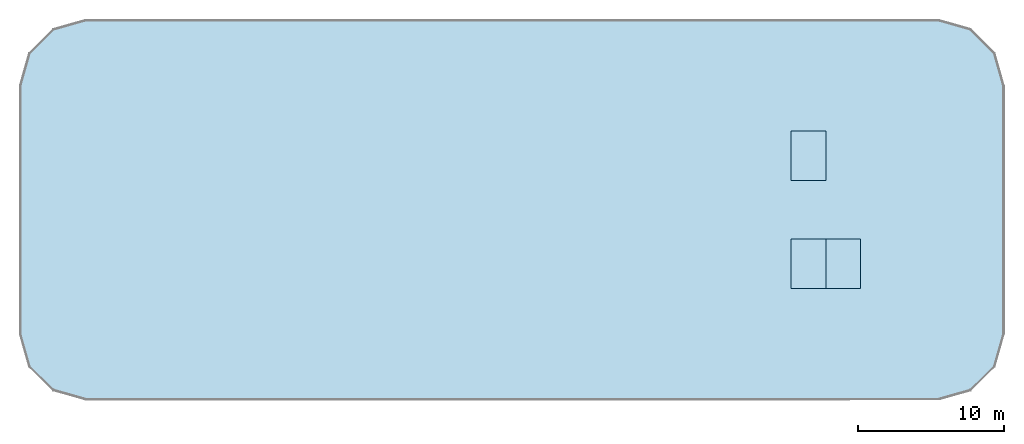
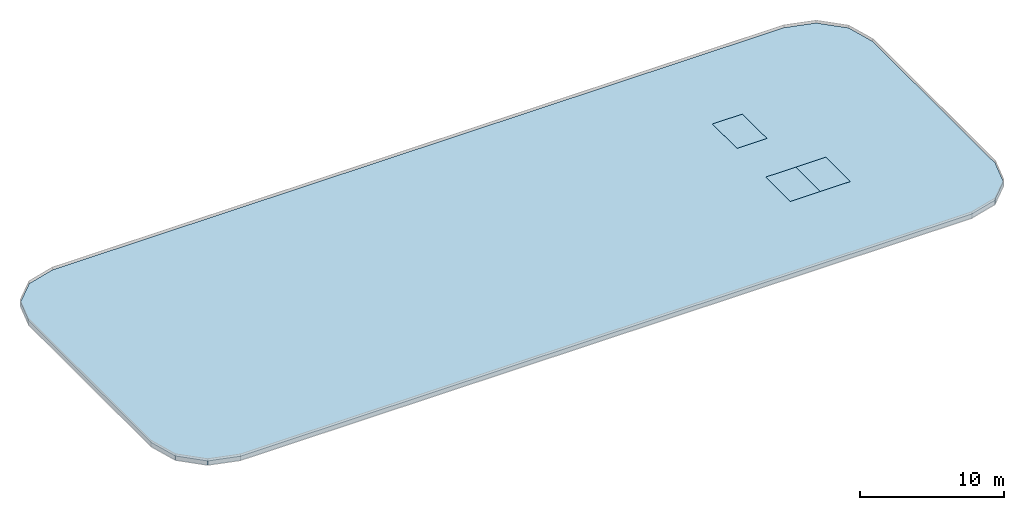
# One storey, part 1 of 2: 4 slabs.
"""IFC4 building model written with IfcOpenShell, lengths in metres."""

from ifc_helpers import new_model, si_unit, direction, frame, origin, place, context, subcontext, project, spatial, polyline, outline, extrude, material, layer, layer_set, type_object, element, save


model = new_model("IFC4")

# Units and contexts
model_context = context("Model", 3, precision=1e-05, world=origin(), true_north=direction((0.0, 1.0)))
body_context = subcontext(model_context, "Body", "Model", "MODEL_VIEW")
ifc_project = project(units=[si_unit("LENGTHUNIT", "METRE"), si_unit("AREAUNIT", "SQUARE_METRE"), si_unit("VOLUMEUNIT", "CUBIC_METRE"), si_unit("PLANEANGLEUNIT", "RADIAN"), si_unit("MASSUNIT", "GRAM", prefix="KILO")], contexts=[model_context])

# Site, building, storey
site_placement = place(None, origin())
site = spatial("IfcSite", under=ifc_project, at=site_placement, CompositionType="ELEMENT")
building_placement = place(site_placement, origin())
building = spatial("IfcBuilding", under=site, at=building_placement, Name="Skarvind Civic Tower", CompositionType="ELEMENT")
storey_placement = place(building_placement, frame((0.0, 0.0, 300.0)))
storey = spatial("IfcBuildingStorey", under=building, at=storey_placement, Name="L71", CompositionType="ELEMENT", Elevation=300.0)

# Slabs
ifc_material_1 = material(Name="Concrete C50", Category="concrete")
ifc_layer_1 = layer(ifc_material_1, 0.35009765625)
ifc_layer_set_1 = layer_set([ifc_layer_1], Name="Canopy roof slab 350 C50")
slab_type_1 = type_object("IfcSlabType", Name="Canopy roof slab 350 C50", PredefinedType="ROOF", material=ifc_layer_set_1)
slab_1_placement = place(storey_placement, frame((0.0, 0.0, -0.35009765625)))
element("IfcSlab", 1, at=slab_1_placement, inside=storey, type_object=slab_type_1, Name="Roof slab L71 1", PredefinedType="ROOF", context=body_context, shape_type="SweptSolid", body=[
    extrude(outline(polyline([(105.5, 141.0), (47.0, 141.0), (44.770263671875, 140.368408203125), (43.131591796875, 138.729736328125), (42.5, 136.5), (42.5, 119.5), (43.131591796875, 117.270263671875), (44.770263671875, 115.631591796875), (47.0, 115.0), (105.5, 115.0), (107.729736328125, 115.631591796875), (109.368408203125, 117.270263671875), (110.0, 119.5), (110.0, 136.5), (109.368408203125, 138.729736328125), (107.729736328125, 140.368408203125), (105.5, 141.0)]), holes=[polyline([(95.39990234375, 122.60009765625), (95.39990234375, 126.0), (97.800048828125, 126.0), (100.199951171875, 126.0), (100.199951171875, 122.60009765625), (97.800048828125, 122.60009765625), (95.39990234375, 122.60009765625)]), polyline([(95.39990234375, 130.0), (95.39990234375, 133.39990234375), (97.800048828125, 133.39990234375), (97.800048828125, 130.0), (95.39990234375, 130.0)])]), origin(), (0.0, 0.0, 1.0), 0.35009765625),
])
ifc_material_2 = material(Name="Concrete C40/50", Category="concrete")
ifc_layer_2 = layer(ifc_material_2, 0.300048828125)
ifc_layer_set_2 = layer_set([ifc_layer_2], Name="Lift overrun roof slab")
slab_type_2 = type_object("IfcSlabType", Name="Lift overrun roof slab", PredefinedType="ROOF", material=ifc_layer_set_2)
slab_2_placement = place(storey_placement, frame((0.0, 0.0, -0.300048828125)))
element("IfcSlab", 2, at=slab_2_placement, inside=storey, type_object=slab_type_2, Name="Lift overrun roof slab", PredefinedType="ROOF", context=body_context, shape_type="SweptSolid", body=[
    extrude(outline(polyline([(97.800048828125, 133.39990234375), (95.39990234375, 133.39990234375), (95.39990234375, 130.0), (97.800048828125, 130.0), (97.800048828125, 133.39990234375)])), origin(), (0.0, 0.0, 1.0), 0.300048828125),
])
slab_3_placement = place(storey_placement, frame((0.0, 0.0, -0.300048828125)))
element("IfcSlab", 3, at=slab_3_placement, inside=storey, type_object=slab_type_2, Name="Lift overrun roof slab", PredefinedType="ROOF", context=body_context, shape_type="SweptSolid", body=[
    extrude(outline(polyline([(100.199951171875, 126.0), (97.800048828125, 126.0), (97.800048828125, 122.60009765625), (100.199951171875, 122.60009765625), (100.199951171875, 126.0)])), origin(), (0.0, 0.0, 1.0), 0.300048828125),
])
slab_4_placement = place(storey_placement, frame((0.0, 0.0, -0.300048828125)))
element("IfcSlab", 4, at=slab_4_placement, inside=storey, type_object=slab_type_2, Name="Lift overrun roof slab", PredefinedType="ROOF", context=body_context, shape_type="SweptSolid", body=[
    extrude(outline(polyline([(97.800048828125, 126.0), (95.39990234375, 126.0), (95.39990234375, 122.60009765625), (97.800048828125, 122.60009765625), (97.800048828125, 126.0)])), origin(), (0.0, 0.0, 1.0), 0.300048828125),
])

save(model, "model.ifc")
